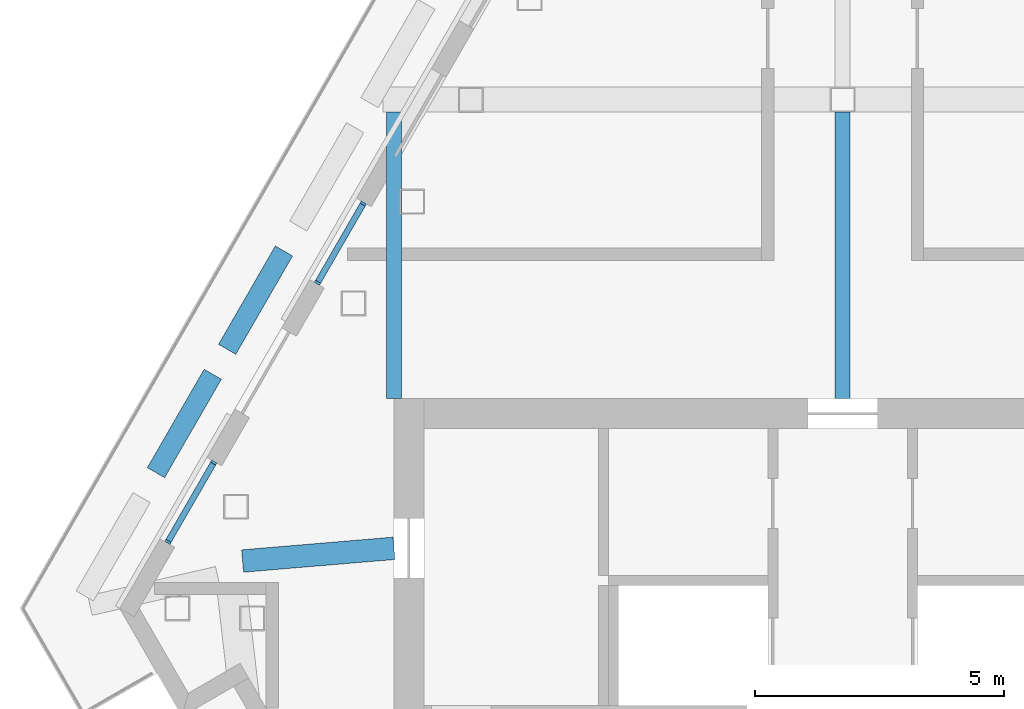
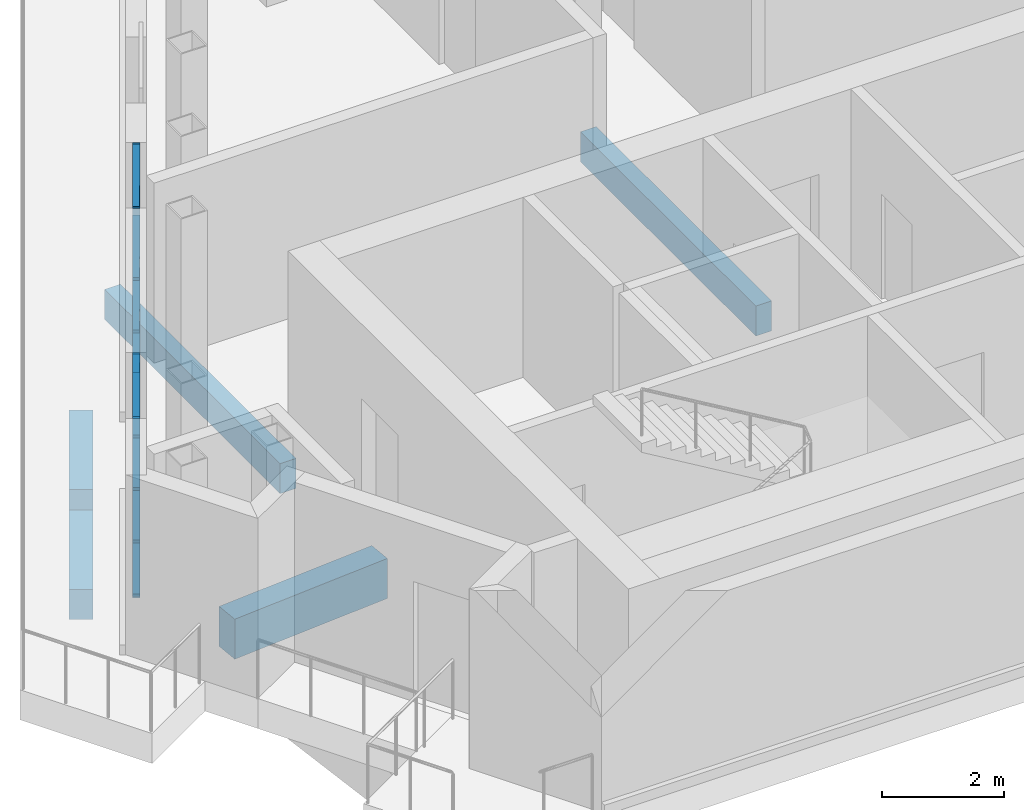
# One storey, part 2 of 7: 14 members, 5 beams, 2 elements without a shape of their own.
"""IFC4 building model written with IfcOpenShell, lengths in metres."""

from ifc_helpers import new_model, si_unit, direction, frame, origin, origin_2d, place, context, subcontext, project, spatial, rectangle, extrude, material, material_profile, profile_set, type_object, element, aggregate, save


model = new_model("IFC4")

# Units and contexts
model_context = context("Model", 3, precision=1e-05, world=origin(), true_north=direction((0.0, 1.0)))
body_context = subcontext(model_context, "Body", "Model", "MODEL_VIEW")
ifc_project = project(units=[si_unit("LENGTHUNIT", "METRE"), si_unit("AREAUNIT", "SQUARE_METRE"), si_unit("VOLUMEUNIT", "CUBIC_METRE"), si_unit("PLANEANGLEUNIT", "RADIAN"), si_unit("MASSUNIT", "GRAM", prefix="KILO")], contexts=[model_context])

# Site, building, storey
site_placement = place(None, origin())
site = spatial("IfcSite", under=ifc_project, at=site_placement, CompositionType="ELEMENT")
building_placement = place(site_placement, origin())
building = spatial("IfcBuilding", under=site, at=building_placement, Name="Fogline Exchange Tower", CompositionType="ELEMENT")
storey_placement = place(building_placement, frame((0.0, 0.0, 359.60009765625)))
storey = spatial("IfcBuildingStorey", under=building, at=storey_placement, Name="L81", CompositionType="ELEMENT", Elevation=359.60009765625)

# Beams
ifc_material_1 = material(Name="Concrete C40", Category="concrete")
ifc_material_profile_1 = material_profile(ifc_material_1, rectangle(XDim=0.300048828125, YDim=0.60009765625, at=origin_2d()), Name="RC 300x600")
ifc_profile_set_1 = profile_set([ifc_material_profile_1], Name="Concrete C40")
beam_type_1 = type_object("IfcBeamType", Name="B06", PredefinedType="BEAM", material=ifc_profile_set_1)
for number, where, z_axis, x_axis, name in (
    (1, (-9.0, 12.0, -0.900146484375), (0.0, 1.0, 0.0), (-1.0, 0.0, 0.0), "SB001"),
    (2, (0.0, 12.0, -0.900146484375), (0.0, 1.0, 0.0), (-1.0, 0.0, 0.0), "SB002"),
):
    element("IfcBeam", number, at=place(storey_placement, frame(where, z_axis=z_axis, x_axis=x_axis)), inside=storey, type_object=beam_type_1, Name=name, PredefinedType="BEAM", context=body_context, shape_type="SweptSolid", body=[
        extrude(rectangle(XDim=0.300048828125, YDim=0.60009765625, at=origin_2d()), origin(), (0.0, 0.0, 1.0), 5.75),
    ])
ifc_material_profile_2 = material_profile(ifc_material_1, rectangle(XDim=0.39990234375, YDim=0.60009765625, at=origin_2d()), Name="RC 400x600")
ifc_profile_set_2 = profile_set([ifc_material_profile_2], Name="Concrete C40")
beam_type_2 = type_object("IfcBeamType", Name="B11", PredefinedType="BEAM", material=ifc_profile_set_2)
beam_1_placement = place(storey_placement, frame((-11.2060546875, 14.96337890625, -0.900146484375), z_axis=(-0.500034759408, -0.866005334501, 0.0), x_axis=(0.866005334501, -0.500034759408, 0.0)))
element("IfcBeam", 3, at=beam_1_placement, inside=storey, type_object=beam_type_2, Name="RB023", PredefinedType="BEAM", context=body_context, shape_type="SweptSolid", body=[
    extrude(rectangle(XDim=0.39990234375, YDim=0.60009765625, at=origin_2d()), origin(), (0.0, 0.0, 1.0), 2.278076171875),
])
beam_2_placement = place(storey_placement, frame((-12.634033203125, 12.490478515625, -0.900146484375), z_axis=(-0.499988356774, -0.8660321259, 0.0), x_axis=(0.8660321259, -0.499988356774, 0.0)))
element("IfcBeam", 4, at=beam_2_placement, inside=storey, type_object=beam_type_2, Name="RB024", PredefinedType="BEAM", context=body_context, shape_type="SweptSolid", body=[
    extrude(rectangle(XDim=0.39990234375, YDim=0.60009765625, at=origin_2d()), origin(), (0.0, 0.0, 1.0), 2.2783203125),
])
ifc_material_profile_3 = material_profile(ifc_material_1, rectangle(XDim=0.449951171875, YDim=0.800048828125, at=origin_2d()), Name="RC 450x800")
ifc_profile_set_3 = profile_set([ifc_material_profile_3], Name="Concrete C40")
beam_type_3 = type_object("IfcBeamType", Name="B18", PredefinedType="BEAM", material=ifc_profile_set_3)
beam_3_placement = place(storey_placement, frame((-12.035888671875, 8.7451171875, -1.0), z_axis=(0.996494169654, 0.08366223668, 0.0), x_axis=(-0.08366223668, 0.996494169654, 0.0)))
element("IfcBeam", 5, at=beam_3_placement, inside=storey, type_object=beam_type_3, Name="GB001", PredefinedType="BEAM", context=body_context, shape_type="SweptSolid", body=[
    extrude(rectangle(XDim=0.449951171875, YDim=0.800048828125, at=origin_2d()), origin(), (0.0, 0.0, 1.0), 3.046630859375),
])

# Curtain wall, members
ifc_material_2 = material(Name="Aluminium and glass", Category="aluminium")
curtain_wall_type = type_object("IfcCurtainWallType", Name="CW6", PredefinedType="NOTDEFINED", material=ifc_material_2)
curtain_wall_1_placement = place(storey_placement, origin())
curtain_wall_1 = element("IfcCurtainWall", 6, at=curtain_wall_1_placement, inside=storey, type_object=curtain_wall_type, Name="CW6 L81 W run 1", PredefinedType="NOTDEFINED")
ifc_material_3 = material(Name="Aluminium", Category="aluminium")
ifc_material_profile_4 = material_profile(ifc_material_3, rectangle(XDim=0.1201171875, YDim=0.050048828125, at=origin_2d()), Name="Mullion 50x120")
ifc_profile_set_4 = profile_set([ifc_material_profile_4], Name="Aluminium")
member_type_1 = type_object("IfcMemberType", Name="CW6-M", PredefinedType="MULLION", material=ifc_profile_set_4)
member_1_placement = place(storey_placement, frame((-9.615234375, 15.914794921875, 0.0), z_axis=(0.0, 0.0, 1.0), x_axis=(0.866025684137, -0.499999514416, 0.0)))
member_1 = element("IfcMember", 7, at=member_1_placement, type_object=member_type_1, Name="CW6-L81-03 mullion 1", PredefinedType="MULLION", context=body_context, shape_type="SweptSolid", body=[
    extrude(rectangle(XDim=0.1201171875, YDim=0.050048828125, at=origin_2d()), origin(), (0.0, 0.0, 1.0), 3.599853515625),
])
member_2_placement = place(storey_placement, frame((-10.53271484375, 14.32568359375, 0.0), z_axis=(0.0, 0.0, 1.0), x_axis=(0.866025684137, -0.499999514416, 0.0)))
member_2 = element("IfcMember", 8, at=member_2_placement, type_object=member_type_1, Name="CW6-L81-03 mullion 2", PredefinedType="MULLION", context=body_context, shape_type="SweptSolid", body=[
    extrude(rectangle(XDim=0.1201171875, YDim=0.050048828125, at=origin_2d()), origin(), (0.0, 0.0, 1.0), 3.599853515625),
])

curtain_wall_2_placement = place(storey_placement, origin())
curtain_wall_2 = element("IfcCurtainWall", 9, at=curtain_wall_2_placement, inside=storey, type_object=curtain_wall_type, Name="CW6 L81 W run 2", PredefinedType="NOTDEFINED")
member_3_placement = place(storey_placement, frame((-12.615234375, 10.71875, 0.0), z_axis=(0.0, 0.0, 1.0), x_axis=(0.866025684137, -0.499999514416, 0.0)))
member_3 = element("IfcMember", 10, at=member_3_placement, type_object=member_type_1, Name="CW6-L81-04 mullion 1", PredefinedType="MULLION", context=body_context, shape_type="SweptSolid", body=[
    extrude(rectangle(XDim=0.1201171875, YDim=0.050048828125, at=origin_2d()), origin(), (0.0, 0.0, 1.0), 3.599853515625),
])
member_4_placement = place(storey_placement, frame((-13.53271484375, 9.12939453125, 0.0), z_axis=(0.0, 0.0, 1.0), x_axis=(0.866025684137, -0.499999514416, 0.0)))
member_4 = element("IfcMember", 11, at=member_4_placement, type_object=member_type_1, Name="CW6-L81-04 mullion 2", PredefinedType="MULLION", context=body_context, shape_type="SweptSolid", body=[
    extrude(rectangle(XDim=0.1201171875, YDim=0.050048828125, at=origin_2d()), origin(), (0.0, 0.0, 1.0), 3.599853515625),
])

# Member
ifc_material_profile_5 = material_profile(ifc_material_3, rectangle(XDim=0.1201171875, YDim=0.054931640625, at=origin_2d()), Name="Transom 55x120")
ifc_profile_set_5 = profile_set([ifc_material_profile_5], Name="Aluminium")
member_type_2 = type_object("IfcMemberType", Name="CW6-T", PredefinedType="USERDEFINED", material=ifc_profile_set_5)
member_5_placement = place(storey_placement, frame((-9.627685546875, 15.89306640625, 0.02734375), z_axis=(-0.500081600855, -0.865978286383, 0.0), x_axis=(0.865978286383, -0.500081600855, 0.0)))
member_5 = element("IfcMember", 12, at=member_5_placement, type_object=member_type_2, Name="CW6-L81-03 transom 1.1", ObjectType="TRANSOM", PredefinedType="USERDEFINED", context=body_context, shape_type="SweptSolid", body=[
    extrude(rectangle(XDim=0.1201171875, YDim=0.054931640625, at=origin_2d()), origin(), (0.0, 0.0, 1.0), 1.784912109375),
])

member_6_placement = place(storey_placement, frame((-9.627685546875, 15.89306640625, 1.099853515625), z_axis=(-0.500081600855, -0.865978286383, 0.0), x_axis=(0.865978286383, -0.500081600855, 0.0)))
member_6 = element("IfcMember", 13, at=member_6_placement, type_object=member_type_2, Name="CW6-L81-03 transom 1.2", ObjectType="TRANSOM", PredefinedType="USERDEFINED", context=body_context, shape_type="SweptSolid", body=[
    extrude(rectangle(XDim=0.1201171875, YDim=0.054931640625, at=origin_2d()), origin(), (0.0, 0.0, 1.0), 1.784912109375),
])

member_7_placement = place(storey_placement, frame((-9.627685546875, 15.89306640625, 2.14990234375), z_axis=(-0.500081600855, -0.865978286383, 0.0), x_axis=(0.865978286383, -0.500081600855, 0.0)))
member_7 = element("IfcMember", 14, at=member_7_placement, type_object=member_type_2, Name="CW6-L81-03 transom 1.3", ObjectType="TRANSOM", PredefinedType="USERDEFINED", context=body_context, shape_type="SweptSolid", body=[
    extrude(rectangle(XDim=0.1201171875, YDim=0.054931640625, at=origin_2d()), origin(), (0.0, 0.0, 1.0), 1.784912109375),
])

member_8_placement = place(storey_placement, frame((-9.627685546875, 15.89306640625, 3.199951171875), z_axis=(-0.500081600855, -0.865978286383, 0.0), x_axis=(0.865978286383, -0.500081600855, 0.0)))
member_8 = element("IfcMember", 15, at=member_8_placement, type_object=member_type_2, Name="CW6-L81-03 transom 1.4", ObjectType="TRANSOM", PredefinedType="USERDEFINED", context=body_context, shape_type="SweptSolid", body=[
    extrude(rectangle(XDim=0.1201171875, YDim=0.054931640625, at=origin_2d()), origin(), (0.0, 0.0, 1.0), 1.784912109375),
])

member_9_placement = place(storey_placement, frame((-9.627685546875, 15.89306640625, 3.572509765625), z_axis=(-0.500081600855, -0.865978286383, 0.0), x_axis=(0.865978286383, -0.500081600855, 0.0)))
member_9 = element("IfcMember", 16, at=member_9_placement, type_object=member_type_2, Name="CW6-L81-03 transom 1.5", ObjectType="TRANSOM", PredefinedType="USERDEFINED", context=body_context, shape_type="SweptSolid", body=[
    extrude(rectangle(XDim=0.1201171875, YDim=0.054931640625, at=origin_2d()), origin(), (0.0, 0.0, 1.0), 1.784912109375),
])

aggregate(curtain_wall_1, [member_1, member_2, member_5, member_6, member_7, member_8, member_9])

member_10_placement = place(storey_placement, frame((-12.627685546875, 10.697021484375, 0.02734375), z_axis=(-0.500022371132, -0.86601248742, 0.0), x_axis=(0.86601248742, -0.500022371132, 0.0)))
member_10 = element("IfcMember", 17, at=member_10_placement, type_object=member_type_2, Name="CW6-L81-04 transom 1.1", ObjectType="TRANSOM", PredefinedType="USERDEFINED", context=body_context, shape_type="SweptSolid", body=[
    extrude(rectangle(XDim=0.1201171875, YDim=0.054931640625, at=origin_2d()), origin(), (0.0, 0.0, 1.0), 1.78515625),
])

member_11_placement = place(storey_placement, frame((-12.627685546875, 10.697021484375, 1.099853515625), z_axis=(-0.500022371132, -0.86601248742, 0.0), x_axis=(0.86601248742, -0.500022371132, 0.0)))
member_11 = element("IfcMember", 18, at=member_11_placement, type_object=member_type_2, Name="CW6-L81-04 transom 1.2", ObjectType="TRANSOM", PredefinedType="USERDEFINED", context=body_context, shape_type="SweptSolid", body=[
    extrude(rectangle(XDim=0.1201171875, YDim=0.054931640625, at=origin_2d()), origin(), (0.0, 0.0, 1.0), 1.78515625),
])

member_12_placement = place(storey_placement, frame((-12.627685546875, 10.697021484375, 2.14990234375), z_axis=(-0.500022371132, -0.86601248742, 0.0), x_axis=(0.86601248742, -0.500022371132, 0.0)))
member_12 = element("IfcMember", 19, at=member_12_placement, type_object=member_type_2, Name="CW6-L81-04 transom 1.3", ObjectType="TRANSOM", PredefinedType="USERDEFINED", context=body_context, shape_type="SweptSolid", body=[
    extrude(rectangle(XDim=0.1201171875, YDim=0.054931640625, at=origin_2d()), origin(), (0.0, 0.0, 1.0), 1.78515625),
])

member_13_placement = place(storey_placement, frame((-12.627685546875, 10.697021484375, 3.199951171875), z_axis=(-0.500022371132, -0.86601248742, 0.0), x_axis=(0.86601248742, -0.500022371132, 0.0)))
member_13 = element("IfcMember", 20, at=member_13_placement, type_object=member_type_2, Name="CW6-L81-04 transom 1.4", ObjectType="TRANSOM", PredefinedType="USERDEFINED", context=body_context, shape_type="SweptSolid", body=[
    extrude(rectangle(XDim=0.1201171875, YDim=0.054931640625, at=origin_2d()), origin(), (0.0, 0.0, 1.0), 1.78515625),
])

member_14_placement = place(storey_placement, frame((-12.627685546875, 10.697021484375, 3.572509765625), z_axis=(-0.500022371132, -0.86601248742, 0.0), x_axis=(0.86601248742, -0.500022371132, 0.0)))
member_14 = element("IfcMember", 21, at=member_14_placement, type_object=member_type_2, Name="CW6-L81-04 transom 1.5", ObjectType="TRANSOM", PredefinedType="USERDEFINED", context=body_context, shape_type="SweptSolid", body=[
    extrude(rectangle(XDim=0.1201171875, YDim=0.054931640625, at=origin_2d()), origin(), (0.0, 0.0, 1.0), 1.78515625),
])

aggregate(curtain_wall_2, [member_3, member_4, member_10, member_11, member_12, member_13, member_14])

save(model, "model.ifc")
